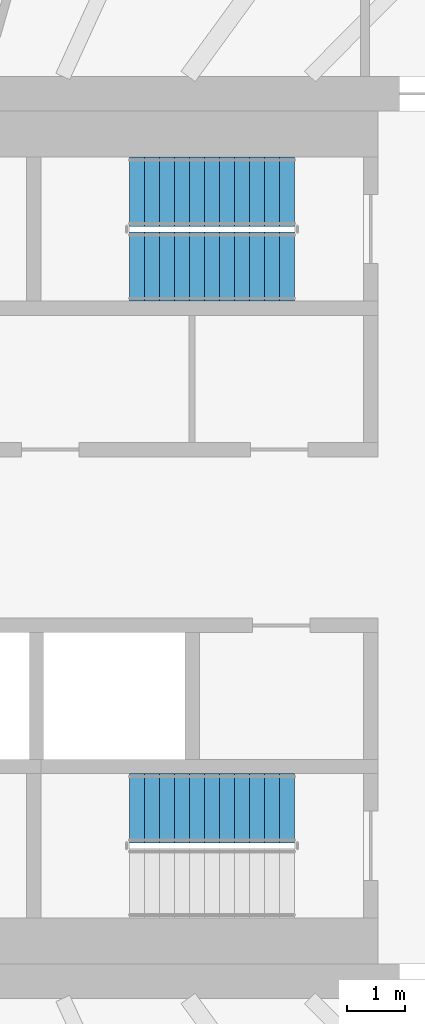
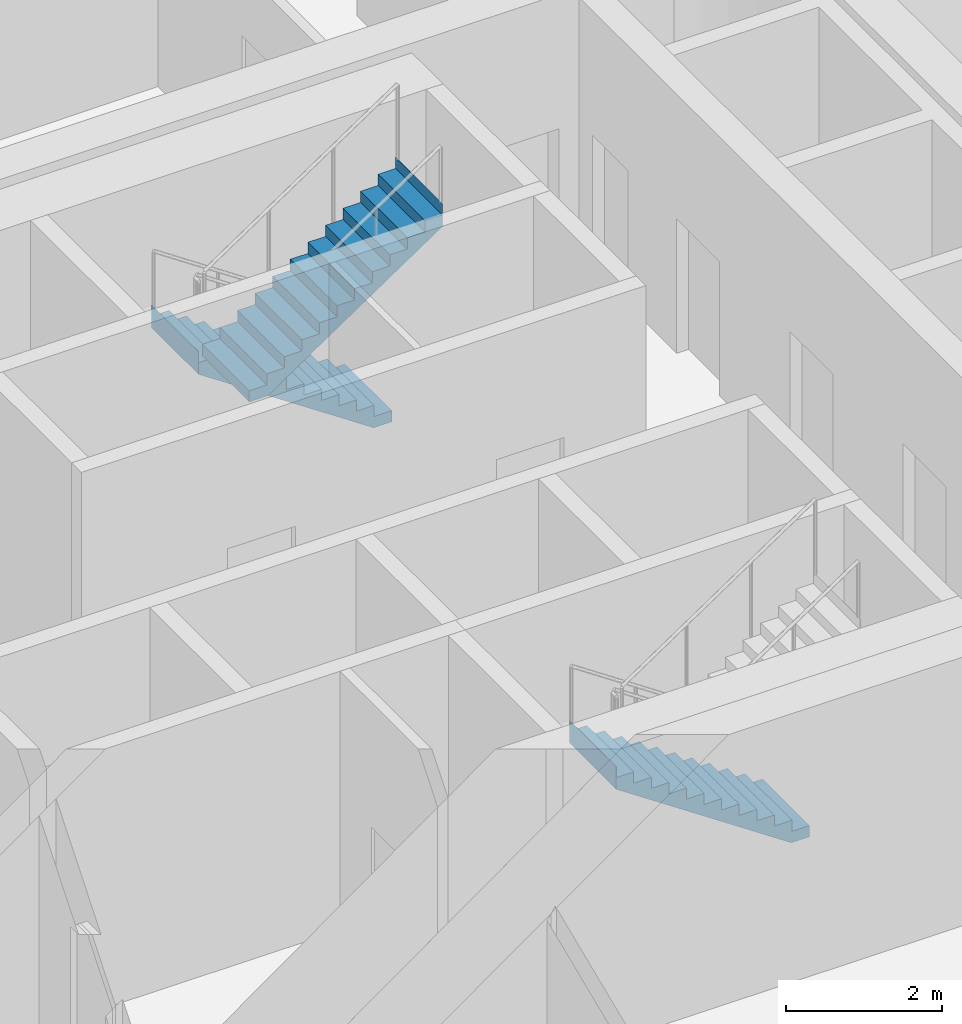
# One storey, part 18 of 24: 3 stair flights, 2 elements without a shape of their own.
"""IFC4 building model written with IfcOpenShell, lengths in metres."""

from ifc_helpers import new_model, si_unit, direction, frame, origin, place, context, subcontext, project, spatial, triangles, material, type_object, element, aggregate, save


model = new_model("IFC4")

# Units and contexts
model_context = context("Model", 3, precision=1e-05, world=origin(), true_north=direction((0.0, 1.0)))
body_context = subcontext(model_context, "Body", "Model", "MODEL_VIEW")
ifc_project = project(units=[si_unit("LENGTHUNIT", "METRE"), si_unit("AREAUNIT", "SQUARE_METRE"), si_unit("VOLUMEUNIT", "CUBIC_METRE"), si_unit("PLANEANGLEUNIT", "RADIAN"), si_unit("MASSUNIT", "GRAM", prefix="KILO")], contexts=[model_context])

# Site, building, storey
site_placement = place(None, origin())
site = spatial("IfcSite", under=ifc_project, at=site_placement, CompositionType="ELEMENT")
building_placement = place(site_placement, origin())
building = spatial("IfcBuilding", under=site, at=building_placement, Name="Sahrelin Media Tower", CompositionType="ELEMENT")
storey_placement = place(building_placement, frame((0.0, 0.0, 58.800048828125)))
storey = spatial("IfcBuildingStorey", under=building, at=storey_placement, Name="L09", CompositionType="ELEMENT", Elevation=58.800048828125)

# Stair, stair flights
ifc_material = material(Name="Concrete C40/50", Category="concrete")
stair_type = type_object("IfcStairType", Name="Exit stair 1200", PredefinedType="HALF_TURN_STAIR", material=ifc_material)
placement = place(storey_placement, origin())
stair_1 = element("IfcStair", 1, at=placement, inside=storey, type_object=stair_type, Name="L09 Exit stair ST3", PredefinedType="HALF_TURN_STAIR")
stair_flight_type = type_object("IfcStairFlightType", Name="Stair flight 1200", PredefinedType="STRAIGHT", material=ifc_material)
stair_flight_1_placement = place(storey_placement, frame((7.675048828125, 6.0, 0.0), z_axis=(0.0, 0.0, 1.0), x_axis=(-1.0, 0.0, 0.0)))
stair_flight_1 = element("IfcStairFlight", 2, at=stair_flight_1_placement, type_object=stair_flight_type, Name="ST3 flight 1", NumberOfRisers=12, NumberOfTreads=11, PredefinedType="STRAIGHT", RiserHeight=0.175, TreadLength=0.26, context=body_context, shape_type="Tessellation", body=[
    triangles([(0.2685546875, 0.60009765625, 0.0), (0.2685546875, 0.300048828125, 0.0), (0.2685546875, 0.0, 0.0), (0.2685546875, -0.300048828125, 0.0), (0.2685546875, -0.60009765625, 0.0), (2.860107421875, 0.60009765625, 1.744384765625), (2.860107421875, 0.300048828125, 1.744384765625), (2.860107421875, 0.0, 1.744384765625), (2.860107421875, -0.300048828125, 1.744384765625), (2.860107421875, -0.60009765625, 1.744384765625), (2.860107421875, 0.60009765625, 2.10009765625), (2.860107421875, 0.300048828125, 2.10009765625), (2.860107421875, 0.0, 2.10009765625), (2.860107421875, -0.300048828125, 2.10009765625), (2.860107421875, -0.60009765625, 2.10009765625), (2.85791015625, 0.60009765625, 2.10009765625), (2.85791015625, 0.300048828125, 2.10009765625), (2.85791015625, 0.0, 2.10009765625), (2.85791015625, -0.300048828125, 2.10009765625), (2.85791015625, -0.60009765625, 2.10009765625), (2.85791015625, 0.60009765625, 1.925048828125), (2.85791015625, 0.300048828125, 1.925048828125), (2.85791015625, 0.0, 1.925048828125), (2.85791015625, -0.300048828125, 1.925048828125), (2.85791015625, -0.60009765625, 1.925048828125), (2.60009765625, 0.60009765625, 1.925048828125), (2.60009765625, 0.300048828125, 1.925048828125), (2.60009765625, 0.0, 1.925048828125), (2.60009765625, -0.300048828125, 1.925048828125), (2.60009765625, -0.60009765625, 1.925048828125), (2.60009765625, 0.60009765625, 1.75), (2.60009765625, 0.300048828125, 1.75), (2.60009765625, 0.0, 1.75), (2.60009765625, -0.300048828125, 1.75), (2.60009765625, -0.60009765625, 1.75), (2.340087890625, 0.60009765625, 1.75), (2.340087890625, 0.300048828125, 1.75), (2.340087890625, 0.0, 1.75), (2.340087890625, -0.300048828125, 1.75), (2.340087890625, -0.60009765625, 1.75), (2.340087890625, 0.60009765625, 1.574951171875), (2.340087890625, 0.300048828125, 1.574951171875), (2.340087890625, 0.0, 1.574951171875), (2.340087890625, -0.300048828125, 1.574951171875), (2.340087890625, -0.60009765625, 1.574951171875), (2.080078125, 0.60009765625, 1.574951171875), (2.080078125, 0.300048828125, 1.574951171875), (2.080078125, 0.0, 1.574951171875), (2.080078125, -0.300048828125, 1.574951171875), (2.080078125, -0.60009765625, 1.574951171875), (2.080078125, 0.60009765625, 1.39990234375), (2.080078125, 0.300048828125, 1.39990234375), (2.080078125, 0.0, 1.39990234375), (2.080078125, -0.300048828125, 1.39990234375), (2.080078125, -0.60009765625, 1.39990234375), (1.820068359375, 0.60009765625, 1.39990234375), (1.820068359375, 0.300048828125, 1.39990234375), (1.820068359375, 0.0, 1.39990234375), (1.820068359375, -0.300048828125, 1.39990234375), (1.820068359375, -0.60009765625, 1.39990234375), (1.820068359375, 0.60009765625, 1.22509765625), (1.820068359375, 0.300048828125, 1.22509765625), (1.820068359375, 0.0, 1.22509765625), (1.820068359375, -0.300048828125, 1.22509765625), (1.820068359375, -0.60009765625, 1.22509765625), (1.56005859375, 0.60009765625, 1.22509765625), (1.56005859375, 0.300048828125, 1.22509765625), (1.56005859375, 0.0, 1.22509765625), (1.56005859375, -0.300048828125, 1.22509765625), (1.56005859375, -0.60009765625, 1.22509765625), (1.56005859375, 0.60009765625, 1.050048828125), (1.56005859375, 0.300048828125, 1.050048828125), (1.56005859375, 0.0, 1.050048828125), (1.56005859375, -0.300048828125, 1.050048828125), (1.56005859375, -0.60009765625, 1.050048828125), (1.300048828125, 0.60009765625, 1.050048828125), (1.300048828125, 0.300048828125, 1.050048828125), (1.300048828125, 0.0, 1.050048828125), (1.300048828125, -0.300048828125, 1.050048828125), (1.300048828125, -0.60009765625, 1.050048828125), (1.300048828125, 0.60009765625, 0.875), (1.300048828125, 0.300048828125, 0.875), (1.300048828125, 0.0, 0.875), (1.300048828125, -0.300048828125, 0.875), (1.300048828125, -0.60009765625, 0.875), (1.0400390625, 0.60009765625, 0.875), (1.0400390625, 0.300048828125, 0.875), (1.0400390625, 0.0, 0.875), (1.0400390625, -0.300048828125, 0.875), (1.0400390625, -0.60009765625, 0.875), (1.0400390625, 0.60009765625, 0.699951171875), (1.0400390625, 0.300048828125, 0.699951171875), (1.0400390625, 0.0, 0.699951171875), (1.0400390625, -0.300048828125, 0.699951171875), (1.0400390625, -0.60009765625, 0.699951171875), (0.780029296875, 0.60009765625, 0.699951171875), (0.780029296875, 0.300048828125, 0.699951171875), (0.780029296875, 0.0, 0.699951171875), (0.780029296875, -0.300048828125, 0.699951171875), (0.780029296875, -0.60009765625, 0.699951171875), (0.780029296875, 0.60009765625, 0.52490234375), (0.780029296875, 0.300048828125, 0.52490234375), (0.780029296875, 0.0, 0.52490234375), (0.780029296875, -0.300048828125, 0.52490234375), (0.780029296875, -0.60009765625, 0.52490234375), (0.52001953125, 0.60009765625, 0.52490234375), (0.52001953125, 0.300048828125, 0.52490234375), (0.52001953125, 0.0, 0.52490234375), (0.52001953125, -0.300048828125, 0.52490234375), (0.52001953125, -0.60009765625, 0.52490234375), (0.52001953125, 0.60009765625, 0.35009765625), (0.52001953125, 0.300048828125, 0.35009765625), (0.52001953125, 0.0, 0.35009765625), (0.52001953125, -0.300048828125, 0.35009765625), (0.52001953125, -0.60009765625, 0.35009765625), (0.260009765625, 0.60009765625, 0.35009765625), (0.260009765625, 0.300048828125, 0.35009765625), (0.260009765625, 0.0, 0.35009765625), (0.260009765625, -0.300048828125, 0.35009765625), (0.260009765625, -0.60009765625, 0.35009765625), (0.260009765625, 0.60009765625, 0.175048828125), (0.260009765625, 0.300048828125, 0.175048828125), (0.260009765625, 0.0, 0.175048828125), (0.260009765625, -0.300048828125, 0.175048828125), (0.260009765625, -0.60009765625, 0.175048828125), (0.0, 0.60009765625, 0.175048828125), (0.0, 0.300048828125, 0.175048828125), (0.0, 0.0, 0.175048828125), (0.0, -0.300048828125, 0.175048828125), (0.0, -0.60009765625, 0.175048828125), (0.0, 0.60009765625, 0.0), (0.0, 0.300048828125, 0.0), (0.0, 0.0, 0.0), (0.0, -0.300048828125, 0.0), (0.0, -0.60009765625, 0.0)], [[1, 6, 7], [1, 7, 2], [2, 7, 8], [2, 8, 3], [3, 8, 9], [3, 9, 4], [4, 9, 10], [4, 10, 5], [6, 11, 12], [6, 12, 7], [7, 12, 13], [7, 13, 8], [8, 13, 14], [8, 14, 9], [9, 14, 15], [9, 15, 10], [11, 16, 17], [11, 17, 12], [12, 17, 18], [12, 18, 13], [13, 18, 19], [13, 19, 14], [14, 19, 20], [14, 20, 15], [16, 21, 22], [16, 22, 17], [17, 22, 23], [17, 23, 18], [18, 23, 24], [18, 24, 19], [19, 24, 25], [19, 25, 20], [21, 26, 27], [21, 27, 22], [22, 27, 28], [22, 28, 23], [23, 28, 29], [23, 29, 24], [24, 29, 30], [24, 30, 25], [26, 31, 32], [26, 32, 27], [27, 32, 33], [27, 33, 28], [28, 33, 34], [28, 34, 29], [29, 34, 35], [29, 35, 30], [31, 36, 37], [31, 37, 32], [32, 37, 38], [32, 38, 33], [33, 38, 39], [33, 39, 34], [34, 39, 40], [34, 40, 35], [36, 41, 42], [36, 42, 37], [37, 42, 43], [37, 43, 38], [38, 43, 44], [38, 44, 39], [39, 44, 45], [39, 45, 40], [41, 46, 47], [41, 47, 42], [42, 47, 48], [42, 48, 43], [43, 48, 49], [43, 49, 44], [44, 49, 50], [44, 50, 45], [46, 51, 52], [46, 52, 47], [47, 52, 53], [47, 53, 48], [48, 53, 54], [48, 54, 49], [49, 54, 55], [49, 55, 50], [51, 56, 57], [51, 57, 52], [52, 57, 58], [52, 58, 53], [53, 58, 59], [53, 59, 54], [54, 59, 60], [54, 60, 55], [56, 61, 62], [56, 62, 57], [57, 62, 63], [57, 63, 58], [58, 63, 64], [58, 64, 59], [59, 64, 65], [59, 65, 60], [61, 66, 67], [61, 67, 62], [62, 67, 68], [62, 68, 63], [63, 68, 69], [63, 69, 64], [64, 69, 70], [64, 70, 65], [66, 71, 72], [66, 72, 67], [67, 72, 73], [67, 73, 68], [68, 73, 74], [68, 74, 69], [69, 74, 75], [69, 75, 70], [71, 76, 77], [71, 77, 72], [72, 77, 78], [72, 78, 73], [73, 78, 79], [73, 79, 74], [74, 79, 80], [74, 80, 75], [76, 81, 82], [76, 82, 77], [77, 82, 83], [77, 83, 78], [78, 83, 84], [78, 84, 79], [79, 84, 85], [79, 85, 80], [81, 86, 87], [81, 87, 82], [82, 87, 88], [82, 88, 83], [83, 88, 89], [83, 89, 84], [84, 89, 90], [84, 90, 85], [86, 91, 92], [86, 92, 87], [87, 92, 93], [87, 93, 88], [88, 93, 94], [88, 94, 89], [89, 94, 95], [89, 95, 90], [91, 96, 97], [91, 97, 92], [92, 97, 98], [92, 98, 93], [93, 98, 99], [93, 99, 94], [94, 99, 100], [94, 100, 95], [96, 101, 102], [96, 102, 97], [97, 102, 103], [97, 103, 98], [98, 103, 104], [98, 104, 99], [99, 104, 105], [99, 105, 100], [101, 106, 107], [101, 107, 102], [102, 107, 108], [102, 108, 103], [103, 108, 109], [103, 109, 104], [104, 109, 110], [104, 110, 105], [106, 111, 112], [106, 112, 107], [107, 112, 113], [107, 113, 108], [108, 113, 114], [108, 114, 109], [109, 114, 115], [109, 115, 110], [111, 116, 117], [111, 117, 112], [112, 117, 118], [112, 118, 113], [113, 118, 119], [113, 119, 114], [114, 119, 120], [114, 120, 115], [116, 121, 122], [116, 122, 117], [117, 122, 123], [117, 123, 118], [118, 123, 124], [118, 124, 119], [119, 124, 125], [119, 125, 120], [121, 126, 127], [121, 127, 122], [122, 127, 128], [122, 128, 123], [123, 128, 129], [123, 129, 124], [124, 129, 130], [124, 130, 125], [126, 131, 132], [126, 132, 127], [127, 132, 133], [127, 133, 128], [128, 133, 134], [128, 134, 129], [129, 134, 135], [129, 135, 130], [131, 1, 2], [131, 2, 132], [132, 2, 3], [132, 3, 133], [133, 3, 4], [133, 4, 134], [134, 4, 5], [134, 5, 135], [125, 130, 135], [121, 131, 126], [125, 115, 120], [121, 116, 111], [115, 105, 110], [111, 106, 101], [105, 95, 100], [101, 96, 91], [95, 85, 90], [91, 86, 81], [85, 75, 80], [81, 76, 71], [75, 65, 70], [71, 66, 61], [65, 55, 60], [61, 56, 51], [55, 45, 50], [51, 46, 41], [45, 35, 40], [41, 36, 31], [35, 25, 30], [31, 26, 21], [25, 15, 20], [21, 16, 11], [135, 5, 125], [131, 121, 1], [95, 105, 5], [91, 1, 101], [5, 10, 75], [1, 71, 6], [10, 35, 45], [6, 41, 31], [25, 10, 15], [21, 11, 6], [115, 125, 5], [111, 1, 121], [75, 85, 5], [71, 1, 81], [35, 10, 25], [31, 21, 6], [105, 115, 5], [101, 1, 111], [45, 55, 10], [41, 6, 51], [85, 95, 5], [81, 1, 91], [65, 10, 55], [61, 51, 6], [10, 65, 75], [6, 71, 61]], closed=True),
])
stair_flight_2_placement = place(storey_placement, frame((4.81494140625, 4.699951171875, 2.099853515625), z_axis=(0.0, 0.0, 1.0), x_axis=(1.0, 0.0, 0.0)))
stair_flight_2 = element("IfcStairFlight", 3, at=stair_flight_2_placement, type_object=stair_flight_type, Name="ST3 flight 2", NumberOfRisers=12, NumberOfTreads=11, PredefinedType="STRAIGHT", RiserHeight=0.175, TreadLength=0.26, context=body_context, shape_type="Tessellation", body=[
    triangles([(0.2685546875, 0.60009765625, 0.0), (0.2685546875, 0.300048828125, 0.0), (0.2685546875, 0.0, 0.0), (0.2685546875, -0.300048828125, 0.0), (0.2685546875, -0.60009765625, 0.0), (2.860107421875, 0.60009765625, 1.744384765625), (2.860107421875, 0.300048828125, 1.744384765625), (2.860107421875, 0.0, 1.744384765625), (2.860107421875, -0.300048828125, 1.744384765625), (2.860107421875, -0.60009765625, 1.744384765625), (2.860107421875, 0.60009765625, 2.10009765625), (2.860107421875, 0.300048828125, 2.10009765625), (2.860107421875, 0.0, 2.10009765625), (2.860107421875, -0.300048828125, 2.10009765625), (2.860107421875, -0.60009765625, 2.10009765625), (2.85791015625, 0.60009765625, 2.10009765625), (2.85791015625, 0.300048828125, 2.10009765625), (2.85791015625, 0.0, 2.10009765625), (2.85791015625, -0.300048828125, 2.10009765625), (2.85791015625, -0.60009765625, 2.10009765625), (2.85791015625, 0.60009765625, 1.925048828125), (2.85791015625, 0.300048828125, 1.925048828125), (2.85791015625, 0.0, 1.925048828125), (2.85791015625, -0.300048828125, 1.925048828125), (2.85791015625, -0.60009765625, 1.925048828125), (2.60009765625, 0.60009765625, 1.925048828125), (2.60009765625, 0.300048828125, 1.925048828125), (2.60009765625, 0.0, 1.925048828125), (2.60009765625, -0.300048828125, 1.925048828125), (2.60009765625, -0.60009765625, 1.925048828125), (2.60009765625, 0.60009765625, 1.75), (2.60009765625, 0.300048828125, 1.75), (2.60009765625, 0.0, 1.75), (2.60009765625, -0.300048828125, 1.75), (2.60009765625, -0.60009765625, 1.75), (2.340087890625, 0.60009765625, 1.75), (2.340087890625, 0.300048828125, 1.75), (2.340087890625, 0.0, 1.75), (2.340087890625, -0.300048828125, 1.75), (2.340087890625, -0.60009765625, 1.75), (2.340087890625, 0.60009765625, 1.574951171875), (2.340087890625, 0.300048828125, 1.574951171875), (2.340087890625, 0.0, 1.574951171875), (2.340087890625, -0.300048828125, 1.574951171875), (2.340087890625, -0.60009765625, 1.574951171875), (2.080078125, 0.60009765625, 1.574951171875), (2.080078125, 0.300048828125, 1.574951171875), (2.080078125, 0.0, 1.574951171875), (2.080078125, -0.300048828125, 1.574951171875), (2.080078125, -0.60009765625, 1.574951171875), (2.080078125, 0.60009765625, 1.39990234375), (2.080078125, 0.300048828125, 1.39990234375), (2.080078125, 0.0, 1.39990234375), (2.080078125, -0.300048828125, 1.39990234375), (2.080078125, -0.60009765625, 1.39990234375), (1.820068359375, 0.60009765625, 1.39990234375), (1.820068359375, 0.300048828125, 1.39990234375), (1.820068359375, 0.0, 1.39990234375), (1.820068359375, -0.300048828125, 1.39990234375), (1.820068359375, -0.60009765625, 1.39990234375), (1.820068359375, 0.60009765625, 1.22509765625), (1.820068359375, 0.300048828125, 1.22509765625), (1.820068359375, 0.0, 1.22509765625), (1.820068359375, -0.300048828125, 1.22509765625), (1.820068359375, -0.60009765625, 1.22509765625), (1.56005859375, 0.60009765625, 1.22509765625), (1.56005859375, 0.300048828125, 1.22509765625), (1.56005859375, 0.0, 1.22509765625), (1.56005859375, -0.300048828125, 1.22509765625), (1.56005859375, -0.60009765625, 1.22509765625), (1.56005859375, 0.60009765625, 1.050048828125), (1.56005859375, 0.300048828125, 1.050048828125), (1.56005859375, 0.0, 1.050048828125), (1.56005859375, -0.300048828125, 1.050048828125), (1.56005859375, -0.60009765625, 1.050048828125), (1.300048828125, 0.60009765625, 1.050048828125), (1.300048828125, 0.300048828125, 1.050048828125), (1.300048828125, 0.0, 1.050048828125), (1.300048828125, -0.300048828125, 1.050048828125), (1.300048828125, -0.60009765625, 1.050048828125), (1.300048828125, 0.60009765625, 0.875), (1.300048828125, 0.300048828125, 0.875), (1.300048828125, 0.0, 0.875), (1.300048828125, -0.300048828125, 0.875), (1.300048828125, -0.60009765625, 0.875), (1.0400390625, 0.60009765625, 0.875), (1.0400390625, 0.300048828125, 0.875), (1.0400390625, 0.0, 0.875), (1.0400390625, -0.300048828125, 0.875), (1.0400390625, -0.60009765625, 0.875), (1.0400390625, 0.60009765625, 0.699951171875), (1.0400390625, 0.300048828125, 0.699951171875), (1.0400390625, 0.0, 0.699951171875), (1.0400390625, -0.300048828125, 0.699951171875), (1.0400390625, -0.60009765625, 0.699951171875), (0.780029296875, 0.60009765625, 0.699951171875), (0.780029296875, 0.300048828125, 0.699951171875), (0.780029296875, 0.0, 0.699951171875), (0.780029296875, -0.300048828125, 0.699951171875), (0.780029296875, -0.60009765625, 0.699951171875), (0.780029296875, 0.60009765625, 0.52490234375), (0.780029296875, 0.300048828125, 0.52490234375), (0.780029296875, 0.0, 0.52490234375), (0.780029296875, -0.300048828125, 0.52490234375), (0.780029296875, -0.60009765625, 0.52490234375), (0.52001953125, 0.60009765625, 0.52490234375), (0.52001953125, 0.300048828125, 0.52490234375), (0.52001953125, 0.0, 0.52490234375), (0.52001953125, -0.300048828125, 0.52490234375), (0.52001953125, -0.60009765625, 0.52490234375), (0.52001953125, 0.60009765625, 0.35009765625), (0.52001953125, 0.300048828125, 0.35009765625), (0.52001953125, 0.0, 0.35009765625), (0.52001953125, -0.300048828125, 0.35009765625), (0.52001953125, -0.60009765625, 0.35009765625), (0.260009765625, 0.60009765625, 0.35009765625), (0.260009765625, 0.300048828125, 0.35009765625), (0.260009765625, 0.0, 0.35009765625), (0.260009765625, -0.300048828125, 0.35009765625), (0.260009765625, -0.60009765625, 0.35009765625), (0.260009765625, 0.60009765625, 0.175048828125), (0.260009765625, 0.300048828125, 0.175048828125), (0.260009765625, 0.0, 0.175048828125), (0.260009765625, -0.300048828125, 0.175048828125), (0.260009765625, -0.60009765625, 0.175048828125), (0.0, 0.60009765625, 0.175048828125), (0.0, 0.300048828125, 0.175048828125), (0.0, 0.0, 0.175048828125), (0.0, -0.300048828125, 0.175048828125), (0.0, -0.60009765625, 0.175048828125), (0.0, 0.60009765625, 0.0), (0.0, 0.300048828125, 0.0), (0.0, 0.0, 0.0), (0.0, -0.300048828125, 0.0), (0.0, -0.60009765625, 0.0)], [[1, 6, 7], [1, 7, 2], [2, 7, 8], [2, 8, 3], [3, 8, 9], [3, 9, 4], [4, 9, 10], [4, 10, 5], [6, 11, 12], [6, 12, 7], [7, 12, 13], [7, 13, 8], [8, 13, 14], [8, 14, 9], [9, 14, 15], [9, 15, 10], [11, 16, 17], [11, 17, 12], [12, 17, 18], [12, 18, 13], [13, 18, 19], [13, 19, 14], [14, 19, 20], [14, 20, 15], [16, 21, 22], [16, 22, 17], [17, 22, 23], [17, 23, 18], [18, 23, 24], [18, 24, 19], [19, 24, 25], [19, 25, 20], [21, 26, 27], [21, 27, 22], [22, 27, 28], [22, 28, 23], [23, 28, 29], [23, 29, 24], [24, 29, 30], [24, 30, 25], [26, 31, 32], [26, 32, 27], [27, 32, 33], [27, 33, 28], [28, 33, 34], [28, 34, 29], [29, 34, 35], [29, 35, 30], [31, 36, 37], [31, 37, 32], [32, 37, 38], [32, 38, 33], [33, 38, 39], [33, 39, 34], [34, 39, 40], [34, 40, 35], [36, 41, 42], [36, 42, 37], [37, 42, 43], [37, 43, 38], [38, 43, 44], [38, 44, 39], [39, 44, 45], [39, 45, 40], [41, 46, 47], [41, 47, 42], [42, 47, 48], [42, 48, 43], [43, 48, 49], [43, 49, 44], [44, 49, 50], [44, 50, 45], [46, 51, 52], [46, 52, 47], [47, 52, 53], [47, 53, 48], [48, 53, 54], [48, 54, 49], [49, 54, 55], [49, 55, 50], [51, 56, 57], [51, 57, 52], [52, 57, 58], [52, 58, 53], [53, 58, 59], [53, 59, 54], [54, 59, 60], [54, 60, 55], [56, 61, 62], [56, 62, 57], [57, 62, 63], [57, 63, 58], [58, 63, 64], [58, 64, 59], [59, 64, 65], [59, 65, 60], [61, 66, 67], [61, 67, 62], [62, 67, 68], [62, 68, 63], [63, 68, 69], [63, 69, 64], [64, 69, 70], [64, 70, 65], [66, 71, 72], [66, 72, 67], [67, 72, 73], [67, 73, 68], [68, 73, 74], [68, 74, 69], [69, 74, 75], [69, 75, 70], [71, 76, 77], [71, 77, 72], [72, 77, 78], [72, 78, 73], [73, 78, 79], [73, 79, 74], [74, 79, 80], [74, 80, 75], [76, 81, 82], [76, 82, 77], [77, 82, 83], [77, 83, 78], [78, 83, 84], [78, 84, 79], [79, 84, 85], [79, 85, 80], [81, 86, 87], [81, 87, 82], [82, 87, 88], [82, 88, 83], [83, 88, 89], [83, 89, 84], [84, 89, 90], [84, 90, 85], [86, 91, 92], [86, 92, 87], [87, 92, 93], [87, 93, 88], [88, 93, 94], [88, 94, 89], [89, 94, 95], [89, 95, 90], [91, 96, 97], [91, 97, 92], [92, 97, 98], [92, 98, 93], [93, 98, 99], [93, 99, 94], [94, 99, 100], [94, 100, 95], [96, 101, 102], [96, 102, 97], [97, 102, 103], [97, 103, 98], [98, 103, 104], [98, 104, 99], [99, 104, 105], [99, 105, 100], [101, 106, 107], [101, 107, 102], [102, 107, 108], [102, 108, 103], [103, 108, 109], [103, 109, 104], [104, 109, 110], [104, 110, 105], [106, 111, 112], [106, 112, 107], [107, 112, 113], [107, 113, 108], [108, 113, 114], [108, 114, 109], [109, 114, 115], [109, 115, 110], [111, 116, 117], [111, 117, 112], [112, 117, 118], [112, 118, 113], [113, 118, 119], [113, 119, 114], [114, 119, 120], [114, 120, 115], [116, 121, 122], [116, 122, 117], [117, 122, 123], [117, 123, 118], [118, 123, 124], [118, 124, 119], [119, 124, 125], [119, 125, 120], [121, 126, 127], [121, 127, 122], [122, 127, 128], [122, 128, 123], [123, 128, 129], [123, 129, 124], [124, 129, 130], [124, 130, 125], [126, 131, 132], [126, 132, 127], [127, 132, 133], [127, 133, 128], [128, 133, 134], [128, 134, 129], [129, 134, 135], [129, 135, 130], [131, 1, 2], [131, 2, 132], [132, 2, 3], [132, 3, 133], [133, 3, 4], [133, 4, 134], [134, 4, 5], [134, 5, 135], [125, 130, 135], [121, 131, 126], [125, 115, 120], [121, 116, 111], [115, 105, 110], [111, 106, 101], [105, 95, 100], [101, 96, 91], [95, 85, 90], [91, 86, 81], [85, 75, 80], [81, 76, 71], [75, 65, 70], [71, 66, 61], [65, 55, 60], [61, 56, 51], [55, 45, 50], [51, 46, 41], [45, 35, 40], [41, 36, 31], [35, 25, 30], [31, 26, 21], [25, 15, 20], [21, 16, 11], [135, 5, 125], [131, 121, 1], [95, 105, 5], [91, 1, 101], [5, 10, 75], [1, 71, 6], [10, 35, 45], [6, 41, 31], [25, 10, 15], [21, 11, 6], [115, 125, 5], [111, 1, 121], [75, 85, 5], [71, 1, 81], [35, 10, 25], [31, 21, 6], [105, 115, 5], [101, 1, 111], [45, 55, 10], [41, 6, 51], [85, 95, 5], [81, 1, 91], [65, 10, 55], [61, 51, 6], [10, 65, 75], [6, 71, 61]], closed=True),
])
aggregate(stair_1, [stair_flight_1, stair_flight_2])

# Stair, stair flight
stair_2 = element("IfcStair", 4, at=placement, inside=storey, type_object=stair_type, Name="L09 Exit stair ST2", PredefinedType="HALF_TURN_STAIR")
stair_flight_3_placement = place(storey_placement, frame((7.675048828125, -4.699951171875, 0.0), z_axis=(0.0, 0.0, 1.0), x_axis=(-1.0, 0.0, 0.0)))
stair_flight_3 = element("IfcStairFlight", 5, at=stair_flight_3_placement, type_object=stair_flight_type, Name="ST2 flight 1", NumberOfRisers=12, NumberOfTreads=11, PredefinedType="STRAIGHT", RiserHeight=0.175, TreadLength=0.26, context=body_context, shape_type="Tessellation", body=[
    triangles([(0.2685546875, 0.60009765625, 0.0), (0.2685546875, 0.300048828125, 0.0), (0.2685546875, 0.0, 0.0), (0.2685546875, -0.300048828125, 0.0), (0.2685546875, -0.60009765625, 0.0), (2.860107421875, 0.60009765625, 1.744384765625), (2.860107421875, 0.300048828125, 1.744384765625), (2.860107421875, 0.0, 1.744384765625), (2.860107421875, -0.300048828125, 1.744384765625), (2.860107421875, -0.60009765625, 1.744384765625), (2.860107421875, 0.60009765625, 2.10009765625), (2.860107421875, 0.300048828125, 2.10009765625), (2.860107421875, 0.0, 2.10009765625), (2.860107421875, -0.300048828125, 2.10009765625), (2.860107421875, -0.60009765625, 2.10009765625), (2.85791015625, 0.60009765625, 2.10009765625), (2.85791015625, 0.300048828125, 2.10009765625), (2.85791015625, 0.0, 2.10009765625), (2.85791015625, -0.300048828125, 2.10009765625), (2.85791015625, -0.60009765625, 2.10009765625), (2.85791015625, 0.60009765625, 1.925048828125), (2.85791015625, 0.300048828125, 1.925048828125), (2.85791015625, 0.0, 1.925048828125), (2.85791015625, -0.300048828125, 1.925048828125), (2.85791015625, -0.60009765625, 1.925048828125), (2.60009765625, 0.60009765625, 1.925048828125), (2.60009765625, 0.300048828125, 1.925048828125), (2.60009765625, 0.0, 1.925048828125), (2.60009765625, -0.300048828125, 1.925048828125), (2.60009765625, -0.60009765625, 1.925048828125), (2.60009765625, 0.60009765625, 1.75), (2.60009765625, 0.300048828125, 1.75), (2.60009765625, 0.0, 1.75), (2.60009765625, -0.300048828125, 1.75), (2.60009765625, -0.60009765625, 1.75), (2.340087890625, 0.60009765625, 1.75), (2.340087890625, 0.300048828125, 1.75), (2.340087890625, 0.0, 1.75), (2.340087890625, -0.300048828125, 1.75), (2.340087890625, -0.60009765625, 1.75), (2.340087890625, 0.60009765625, 1.574951171875), (2.340087890625, 0.300048828125, 1.574951171875), (2.340087890625, 0.0, 1.574951171875), (2.340087890625, -0.300048828125, 1.574951171875), (2.340087890625, -0.60009765625, 1.574951171875), (2.080078125, 0.60009765625, 1.574951171875), (2.080078125, 0.300048828125, 1.574951171875), (2.080078125, 0.0, 1.574951171875), (2.080078125, -0.300048828125, 1.574951171875), (2.080078125, -0.60009765625, 1.574951171875), (2.080078125, 0.60009765625, 1.39990234375), (2.080078125, 0.300048828125, 1.39990234375), (2.080078125, 0.0, 1.39990234375), (2.080078125, -0.300048828125, 1.39990234375), (2.080078125, -0.60009765625, 1.39990234375), (1.820068359375, 0.60009765625, 1.39990234375), (1.820068359375, 0.300048828125, 1.39990234375), (1.820068359375, 0.0, 1.39990234375), (1.820068359375, -0.300048828125, 1.39990234375), (1.820068359375, -0.60009765625, 1.39990234375), (1.820068359375, 0.60009765625, 1.22509765625), (1.820068359375, 0.300048828125, 1.22509765625), (1.820068359375, 0.0, 1.22509765625), (1.820068359375, -0.300048828125, 1.22509765625), (1.820068359375, -0.60009765625, 1.22509765625), (1.56005859375, 0.60009765625, 1.22509765625), (1.56005859375, 0.300048828125, 1.22509765625), (1.56005859375, 0.0, 1.22509765625), (1.56005859375, -0.300048828125, 1.22509765625), (1.56005859375, -0.60009765625, 1.22509765625), (1.56005859375, 0.60009765625, 1.050048828125), (1.56005859375, 0.300048828125, 1.050048828125), (1.56005859375, 0.0, 1.050048828125), (1.56005859375, -0.300048828125, 1.050048828125), (1.56005859375, -0.60009765625, 1.050048828125), (1.300048828125, 0.60009765625, 1.050048828125), (1.300048828125, 0.300048828125, 1.050048828125), (1.300048828125, 0.0, 1.050048828125), (1.300048828125, -0.300048828125, 1.050048828125), (1.300048828125, -0.60009765625, 1.050048828125), (1.300048828125, 0.60009765625, 0.875), (1.300048828125, 0.300048828125, 0.875), (1.300048828125, 0.0, 0.875), (1.300048828125, -0.300048828125, 0.875), (1.300048828125, -0.60009765625, 0.875), (1.0400390625, 0.60009765625, 0.875), (1.0400390625, 0.300048828125, 0.875), (1.0400390625, 0.0, 0.875), (1.0400390625, -0.300048828125, 0.875), (1.0400390625, -0.60009765625, 0.875), (1.0400390625, 0.60009765625, 0.699951171875), (1.0400390625, 0.300048828125, 0.699951171875), (1.0400390625, 0.0, 0.699951171875), (1.0400390625, -0.300048828125, 0.699951171875), (1.0400390625, -0.60009765625, 0.699951171875), (0.780029296875, 0.60009765625, 0.699951171875), (0.780029296875, 0.300048828125, 0.699951171875), (0.780029296875, 0.0, 0.699951171875), (0.780029296875, -0.300048828125, 0.699951171875), (0.780029296875, -0.60009765625, 0.699951171875), (0.780029296875, 0.60009765625, 0.52490234375), (0.780029296875, 0.300048828125, 0.52490234375), (0.780029296875, 0.0, 0.52490234375), (0.780029296875, -0.300048828125, 0.52490234375), (0.780029296875, -0.60009765625, 0.52490234375), (0.52001953125, 0.60009765625, 0.52490234375), (0.52001953125, 0.300048828125, 0.52490234375), (0.52001953125, 0.0, 0.52490234375), (0.52001953125, -0.300048828125, 0.52490234375), (0.52001953125, -0.60009765625, 0.52490234375), (0.52001953125, 0.60009765625, 0.35009765625), (0.52001953125, 0.300048828125, 0.35009765625), (0.52001953125, 0.0, 0.35009765625), (0.52001953125, -0.300048828125, 0.35009765625), (0.52001953125, -0.60009765625, 0.35009765625), (0.260009765625, 0.60009765625, 0.35009765625), (0.260009765625, 0.300048828125, 0.35009765625), (0.260009765625, 0.0, 0.35009765625), (0.260009765625, -0.300048828125, 0.35009765625), (0.260009765625, -0.60009765625, 0.35009765625), (0.260009765625, 0.60009765625, 0.175048828125), (0.260009765625, 0.300048828125, 0.175048828125), (0.260009765625, 0.0, 0.175048828125), (0.260009765625, -0.300048828125, 0.175048828125), (0.260009765625, -0.60009765625, 0.175048828125), (0.0, 0.60009765625, 0.175048828125), (0.0, 0.300048828125, 0.175048828125), (0.0, 0.0, 0.175048828125), (0.0, -0.300048828125, 0.175048828125), (0.0, -0.60009765625, 0.175048828125), (0.0, 0.60009765625, 0.0), (0.0, 0.300048828125, 0.0), (0.0, 0.0, 0.0), (0.0, -0.300048828125, 0.0), (0.0, -0.60009765625, 0.0)], [[1, 6, 7], [1, 7, 2], [2, 7, 8], [2, 8, 3], [3, 8, 9], [3, 9, 4], [4, 9, 10], [4, 10, 5], [6, 11, 12], [6, 12, 7], [7, 12, 13], [7, 13, 8], [8, 13, 14], [8, 14, 9], [9, 14, 15], [9, 15, 10], [11, 16, 17], [11, 17, 12], [12, 17, 18], [12, 18, 13], [13, 18, 19], [13, 19, 14], [14, 19, 20], [14, 20, 15], [16, 21, 22], [16, 22, 17], [17, 22, 23], [17, 23, 18], [18, 23, 24], [18, 24, 19], [19, 24, 25], [19, 25, 20], [21, 26, 27], [21, 27, 22], [22, 27, 28], [22, 28, 23], [23, 28, 29], [23, 29, 24], [24, 29, 30], [24, 30, 25], [26, 31, 32], [26, 32, 27], [27, 32, 33], [27, 33, 28], [28, 33, 34], [28, 34, 29], [29, 34, 35], [29, 35, 30], [31, 36, 37], [31, 37, 32], [32, 37, 38], [32, 38, 33], [33, 38, 39], [33, 39, 34], [34, 39, 40], [34, 40, 35], [36, 41, 42], [36, 42, 37], [37, 42, 43], [37, 43, 38], [38, 43, 44], [38, 44, 39], [39, 44, 45], [39, 45, 40], [41, 46, 47], [41, 47, 42], [42, 47, 48], [42, 48, 43], [43, 48, 49], [43, 49, 44], [44, 49, 50], [44, 50, 45], [46, 51, 52], [46, 52, 47], [47, 52, 53], [47, 53, 48], [48, 53, 54], [48, 54, 49], [49, 54, 55], [49, 55, 50], [51, 56, 57], [51, 57, 52], [52, 57, 58], [52, 58, 53], [53, 58, 59], [53, 59, 54], [54, 59, 60], [54, 60, 55], [56, 61, 62], [56, 62, 57], [57, 62, 63], [57, 63, 58], [58, 63, 64], [58, 64, 59], [59, 64, 65], [59, 65, 60], [61, 66, 67], [61, 67, 62], [62, 67, 68], [62, 68, 63], [63, 68, 69], [63, 69, 64], [64, 69, 70], [64, 70, 65], [66, 71, 72], [66, 72, 67], [67, 72, 73], [67, 73, 68], [68, 73, 74], [68, 74, 69], [69, 74, 75], [69, 75, 70], [71, 76, 77], [71, 77, 72], [72, 77, 78], [72, 78, 73], [73, 78, 79], [73, 79, 74], [74, 79, 80], [74, 80, 75], [76, 81, 82], [76, 82, 77], [77, 82, 83], [77, 83, 78], [78, 83, 84], [78, 84, 79], [79, 84, 85], [79, 85, 80], [81, 86, 87], [81, 87, 82], [82, 87, 88], [82, 88, 83], [83, 88, 89], [83, 89, 84], [84, 89, 90], [84, 90, 85], [86, 91, 92], [86, 92, 87], [87, 92, 93], [87, 93, 88], [88, 93, 94], [88, 94, 89], [89, 94, 95], [89, 95, 90], [91, 96, 97], [91, 97, 92], [92, 97, 98], [92, 98, 93], [93, 98, 99], [93, 99, 94], [94, 99, 100], [94, 100, 95], [96, 101, 102], [96, 102, 97], [97, 102, 103], [97, 103, 98], [98, 103, 104], [98, 104, 99], [99, 104, 105], [99, 105, 100], [101, 106, 107], [101, 107, 102], [102, 107, 108], [102, 108, 103], [103, 108, 109], [103, 109, 104], [104, 109, 110], [104, 110, 105], [106, 111, 112], [106, 112, 107], [107, 112, 113], [107, 113, 108], [108, 113, 114], [108, 114, 109], [109, 114, 115], [109, 115, 110], [111, 116, 117], [111, 117, 112], [112, 117, 118], [112, 118, 113], [113, 118, 119], [113, 119, 114], [114, 119, 120], [114, 120, 115], [116, 121, 122], [116, 122, 117], [117, 122, 123], [117, 123, 118], [118, 123, 124], [118, 124, 119], [119, 124, 125], [119, 125, 120], [121, 126, 127], [121, 127, 122], [122, 127, 128], [122, 128, 123], [123, 128, 129], [123, 129, 124], [124, 129, 130], [124, 130, 125], [126, 131, 132], [126, 132, 127], [127, 132, 133], [127, 133, 128], [128, 133, 134], [128, 134, 129], [129, 134, 135], [129, 135, 130], [131, 1, 2], [131, 2, 132], [132, 2, 3], [132, 3, 133], [133, 3, 4], [133, 4, 134], [134, 4, 5], [134, 5, 135], [125, 130, 135], [121, 131, 126], [125, 115, 120], [121, 116, 111], [115, 105, 110], [111, 106, 101], [105, 95, 100], [101, 96, 91], [95, 85, 90], [91, 86, 81], [85, 75, 80], [81, 76, 71], [75, 65, 70], [71, 66, 61], [65, 55, 60], [61, 56, 51], [55, 45, 50], [51, 46, 41], [45, 35, 40], [41, 36, 31], [35, 25, 30], [31, 26, 21], [25, 15, 20], [21, 16, 11], [135, 5, 125], [131, 121, 1], [95, 105, 5], [91, 1, 101], [5, 10, 75], [1, 71, 6], [10, 35, 45], [6, 41, 31], [25, 10, 15], [21, 11, 6], [115, 125, 5], [111, 1, 121], [75, 85, 5], [71, 1, 81], [35, 10, 25], [31, 21, 6], [105, 115, 5], [101, 1, 111], [45, 55, 10], [41, 6, 51], [85, 95, 5], [81, 1, 91], [65, 10, 55], [61, 51, 6], [10, 65, 75], [6, 71, 61]], closed=True),
])
aggregate(stair_2, [stair_flight_3])

save(model, "model.ifc")
